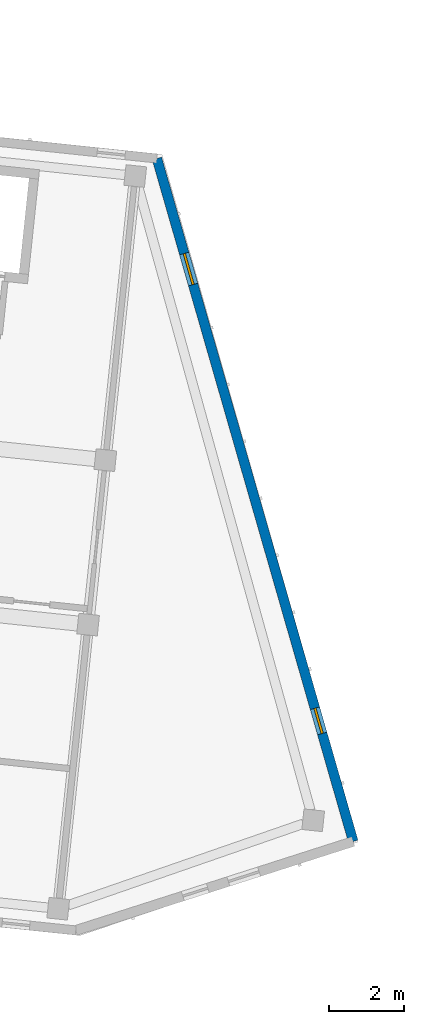
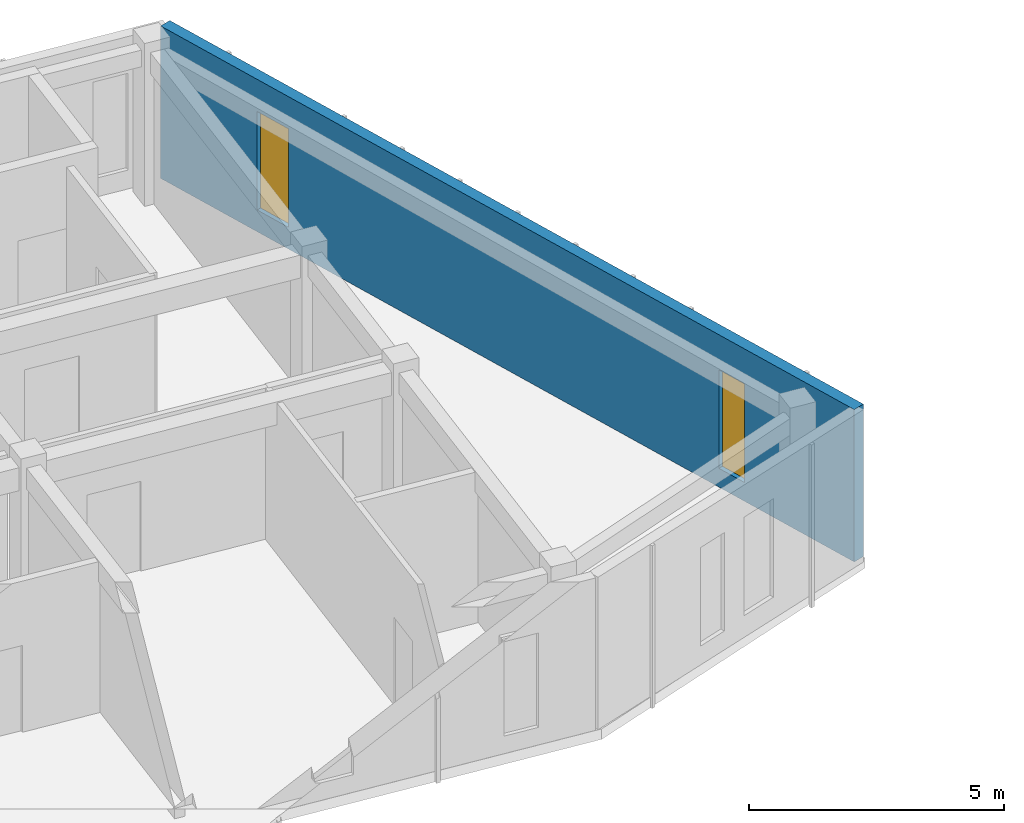
# One storey, part 105 of 150: 2 windows, 1 wall, 2 openings.
"""IFC4 building model written with IfcOpenShell, lengths in metres."""

from ifc_helpers import new_model, si_unit, direction, frame, frame_2d, origin, place, context, subcontext, project, spatial, rectangle, extrude, material, layer, layer_set, type_object, element, fill, save


model = new_model("IFC4")

# Units and contexts
model_context = context("Model", 3, precision=1e-05, world=origin(), true_north=direction((0.0, 1.0)))
body_context = subcontext(model_context, "Body", "Model", "MODEL_VIEW")
ifc_project = project(units=[si_unit("LENGTHUNIT", "METRE"), si_unit("AREAUNIT", "SQUARE_METRE"), si_unit("VOLUMEUNIT", "CUBIC_METRE"), si_unit("PLANEANGLEUNIT", "RADIAN"), si_unit("MASSUNIT", "GRAM", prefix="KILO")], contexts=[model_context])

# Site, building, storey
site_placement = place(None, origin())
site = spatial("IfcSite", under=ifc_project, at=site_placement, CompositionType="ELEMENT")
building_placement = place(site_placement, origin())
building = spatial("IfcBuilding", under=site, at=building_placement, Name="Kestramere Prow Commons", CompositionType="ELEMENT")
storey_placement = place(building_placement, frame((0.0, 0.0, 4.5)))
storey = spatial("IfcBuildingStorey", under=building, at=storey_placement, Name="L01", CompositionType="ELEMENT", Elevation=4.5)

# Wall, openings, windows
ifc_material_1 = material(Name="Weathered Zinc-Titanium Standing-Seam Cladding")
ifc_layer = layer(ifc_material_1, 0.260009765625)
ifc_layer_set = layer_set([ifc_layer], Name="Weathered Zinc-Titanium Standing-Seam Cladding")
wall_type = type_object("IfcWallType", Name="EW-PROW-260", PredefinedType="SOLIDWALL", material=ifc_layer_set)
wall_placement = place(storey_placement, frame((160.36279296875, 109.742431640625, 0.0), z_axis=(0.0, 0.0, 1.0), x_axis=(0.276322184526, -0.961065060409, 0.0)))
wall = element("IfcWall", 1, at=wall_placement, inside=storey, type_object=wall_type, Name="Block B L01 PRW-N Facet Wall", PredefinedType="SOLIDWALL", context=body_context, shape_type="SweptSolid", body=[
    extrude(rectangle(XDim=18.90673828125, YDim=0.260009765625, at=frame_2d((9.453369140625, 0.0))), origin(), (0.0, 0.0, 1.0), 3.64990234375),
])
opening_1_placement = place(wall_placement, frame((2.6298828125, 0.0, 0.52001953125)))
opening_1 = element("IfcOpeningElement", 2, at=opening_1_placement, cuts=wall, Name="Opening WN-15", PredefinedType="OPENING", context=body_context, shape_type="SweptSolid", body=[
    extrude(rectangle(XDim=0.860107421875, YDim=2.360107421875, at=frame_2d((0.43017578125, 1.18017578125))), frame((0.0, 0.14501953125, 0.0), z_axis=(0.0, -1.0, 0.0), x_axis=(1.0, 0.0, 0.0)), (0.0, 0.0, 1.0), 0.2900390625),
])
opening_2_placement = place(wall_placement, frame((15.216796875, 0.0, 0.449951171875)))
opening_2 = element("IfcOpeningElement", 3, at=opening_2_placement, cuts=wall, Name="Opening WN-07", PredefinedType="OPENING", context=body_context, shape_type="SweptSolid", body=[
    extrude(rectangle(XDim=0.699951171875, YDim=2.360107421875, at=frame_2d((0.35009765625, 1.18017578125))), frame((0.0, 0.14501953125, 0.0), z_axis=(0.0, -1.0, 0.0), x_axis=(1.0, 0.0, 0.0)), (0.0, 0.0, 1.0), 0.2900390625),
])
ifc_material_2 = material(Name="Low-E Laminated Double Glazing", Category="glass")
window_type_1 = type_object("IfcWindowType", Name="WN-NAR-700A", PartitioningType="SINGLE_PANEL", PredefinedType="WINDOW", material=ifc_material_2)
window_1_placement = place(opening_2_placement, origin())
window_1 = element("IfcWindow", 4, at=window_1_placement, inside=storey, type_object=window_type_1, Name="WN-B-L01-PRW-N-1", OverallHeight=2.360107421875, OverallWidth=0.699951171875, PartitioningType="SINGLE_PANEL", PredefinedType="WINDOW", context=body_context, shape_type="SweptSolid", body=[
    extrude(rectangle(XDim=0.699951171875, YDim=2.360107421875, at=frame_2d((0.35009765625, 1.18017578125))), frame((0.0, 0.030029296875, 0.0), z_axis=(0.0, -1.0, 0.0), x_axis=(1.0, 0.0, 0.0)), (0.0, 0.0, 1.0), 0.06005859375),
])
fill(opening_2, window_1)
window_type_2 = type_object("IfcWindowType", Name="WN-NAR-860A", PartitioningType="DOUBLE_PANEL_VERTICAL", PredefinedType="WINDOW", material=ifc_material_2)
window_2_placement = place(opening_1_placement, origin())
window_2 = element("IfcWindow", 5, at=window_2_placement, inside=storey, type_object=window_type_2, Name="WN-B-L01-PRW-N-0", OverallHeight=2.360107421875, OverallWidth=0.860107421875, PartitioningType="SINGLE_PANEL", PredefinedType="WINDOW", context=body_context, shape_type="SweptSolid", body=[
    extrude(rectangle(XDim=0.860107421875, YDim=2.360107421875, at=frame_2d((0.43017578125, 1.18017578125))), frame((0.0, 0.030029296875, 0.0), z_axis=(0.0, -1.0, 0.0), x_axis=(1.0, 0.0, 0.0)), (0.0, 0.0, 1.0), 0.06005859375),
])
fill(opening_1, window_2)

save(model, "model.ifc")
